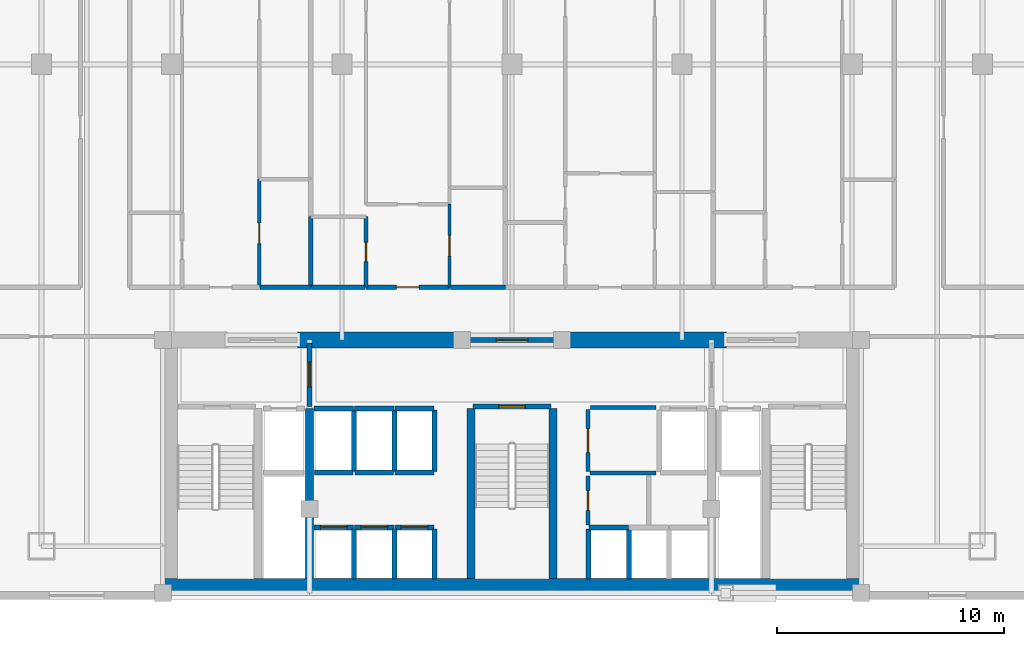
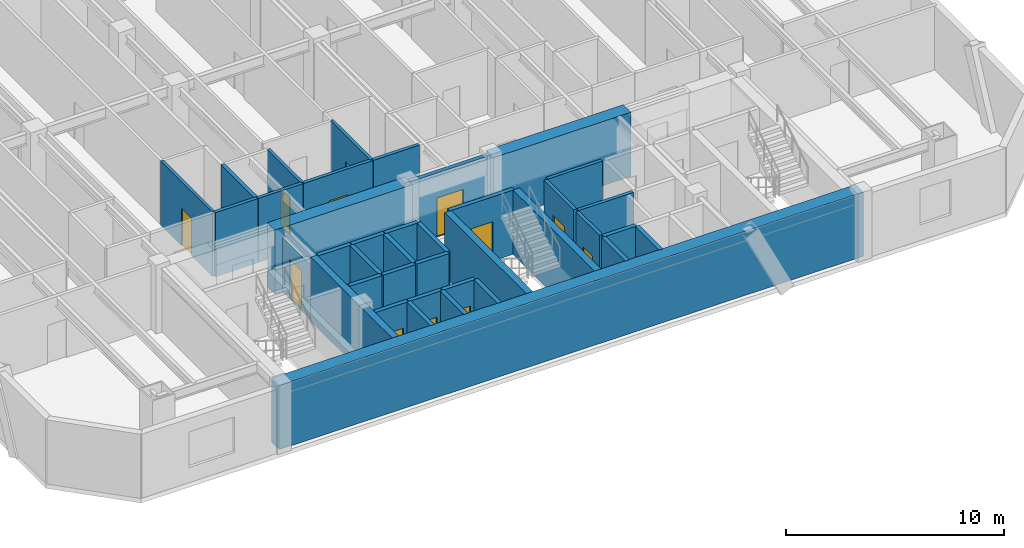
# One storey, part 3 of 9: 39 walls, 12 doors, 12 openings.
"""IFC4 building model written with IfcOpenShell, lengths in metres."""

from ifc_helpers import new_model, si_unit, direction, frame, frame_2d, origin, place, context, subcontext, project, spatial, rectangle, extrude, material, layer, layer_set, type_object, element, fill, save


model = new_model("IFC4")

# Units and contexts
model_context = context("Model", 3, precision=1e-05, world=origin(), true_north=direction((0.0, 1.0)))
body_context = subcontext(model_context, "Body", "Model", "MODEL_VIEW")
ifc_project = project(units=[si_unit("LENGTHUNIT", "METRE"), si_unit("AREAUNIT", "SQUARE_METRE"), si_unit("VOLUMEUNIT", "CUBIC_METRE"), si_unit("PLANEANGLEUNIT", "RADIAN"), si_unit("MASSUNIT", "GRAM", prefix="KILO")], contexts=[model_context])

# Site, building, storey
site_placement = place(None, origin())
site = spatial("IfcSite", under=ifc_project, at=site_placement, CompositionType="ELEMENT")
building_placement = place(site_placement, origin())
building = spatial("IfcBuilding", under=site, at=building_placement, Name="Ventersveld Concourse Tower", CompositionType="ELEMENT")
storey_placement = place(building_placement, frame((0.0, 0.0, 100.300048828125)))
storey = spatial("IfcBuildingStorey", under=building, at=storey_placement, Name="L24", CompositionType="ELEMENT", Elevation=100.300048828125)

# Walls
ifc_material_1 = material(Name="Concrete C60/75", Category="concrete")
ifc_layer_1 = layer(ifc_material_1, 0.35009765625)
ifc_layer_set_1 = layer_set([ifc_layer_1], Name="Concrete C60/75")
wall_type_1 = type_object("IfcWallType", Name="WL-CORE-350L", PredefinedType="SHEAR", material=ifc_layer_set_1)
for number, where, z_axis, x_axis, name in (
    (1, (19.820068359375, 0.919921875, 0.0), (0.0, 0.0, 1.0), (0.0, 1.0, 0.0), "L24 Core Internal Shear Web W-FF1-E"),
    (2, (26.93994140625, 0.919921875, 0.0), (0.0, 0.0, 1.0), (0.0, 1.0, 0.0), "L24 Core Internal Shear Web W-ST3-W"),
    (3, (30.56005859375, 0.919921875, 0.0), (0.0, 0.0, 1.0), (0.0, 1.0, 0.0), "L24 Core Internal Shear Web W-ST3-E"),
):
    element("IfcWall", number, at=place(storey_placement, frame(where, z_axis=z_axis, x_axis=x_axis)), inside=storey, type_object=wall_type_1, Name=name, PredefinedType="SHEAR", context=body_context, shape_type="SweptSolid", body=[
        extrude(rectangle(XDim=7.5, YDim=0.35009765625, at=frame_2d((3.75, 0.0))), origin(), (0.0, 0.0, 1.0), 3.599853515625),
    ])
ifc_layer_2 = layer(ifc_material_1, 0.699951171875)
ifc_layer_set_2 = layer_set([ifc_layer_2], Name="Concrete C60/75")
wall_type_2 = type_object("IfcWallType", Name="WL-CORE-700", PredefinedType="SHEAR", material=ifc_layer_set_2)
wall_1_placement = place(storey_placement, frame((13.25, 0.570068359375, 0.0), z_axis=(0.0, 0.0, 1.0), x_axis=(1.0, 0.0, 0.0)))
element("IfcWall", 4, at=wall_1_placement, inside=storey, type_object=wall_type_2, Name="L24 Rear Core South Shear Wall", PredefinedType="SHEAR", context=body_context, shape_type="SweptSolid", body=[
    extrude(rectangle(XDim=31.0, YDim=0.699951171875, at=frame_2d((15.5, 0.0))), origin(), (0.0, 0.0, 1.0), 3.599853515625),
])
for number, where, z_axis, x_axis, name in (
    (5, (19.300048828125, 11.449951171875, 0.0), (0.0, 0.0, 1.0), (1.0, 0.0, 0.0), "L24 Rear Core North Shear Wall NML"),
    (6, (30.89990234375, 11.449951171875, 0.0), (0.0, 0.0, 1.0), (1.0, 0.0, 0.0), "L24 Rear Core North Shear Wall NMR"),
):
    element("IfcWall", number, at=place(storey_placement, frame(where, z_axis=z_axis, x_axis=x_axis)), inside=storey, type_object=wall_type_2, Name=name, PredefinedType="SHEAR", context=body_context, shape_type="SweptSolid", body=[
        extrude(rectangle(XDim=7.300048828125, YDim=0.699951171875, at=frame_2d((3.64990234375, 0.0))), origin(), (0.0, 0.0, 1.0), 3.599853515625),
    ])

# Wall, opening, door
ifc_material_2 = material(Name="Fire-rated autoclaved aerated masonry blockwork", Category="masonry")
ifc_layer_3 = layer(ifc_material_2, 0.179931640625)
ifc_layer_set_3 = layer_set([ifc_layer_3], Name="Fire-rated autoclaved aerated masonry blockwork")
wall_type_3 = type_object("IfcWallType", Name="WL-CORR-180", PredefinedType="PARTITIONING", material=ifc_layer_set_3)
wall_2_placement = place(storey_placement, frame((32.10009765625, 5.64990234375, 0.0), z_axis=(0.0, 0.0, 1.0), x_axis=(0.0, 1.0, 0.0)))
wall_2 = element("IfcWall", 7, at=wall_2_placement, inside=storey, type_object=wall_type_3, Name="L24 Core Passage Wall SP-L24-CBAY1", PredefinedType="PARTITIONING", context=body_context, shape_type="SweptSolid", body=[
    extrude(rectangle(XDim=2.72998046875, YDim=0.179931640625, at=frame_2d((1.364990234375, 0.0))), origin(), (0.0, 0.0, 1.0), 3.599853515625),
])
opening_1_placement = place(wall_2_placement, frame((0.840087890625, 0.0, 0.0)))
opening_1 = element("IfcOpeningElement", 8, at=opening_1_placement, cuts=wall_2, Name="Opening ID3", PredefinedType="OPENING", context=body_context, shape_type="SweptSolid", body=[
    extrude(rectangle(XDim=1.050048828125, YDim=2.14990234375, at=frame_2d((0.52490234375, 1.074951171875))), frame((0.0, 0.10009765625, 0.0), z_axis=(0.0, -1.0, 0.0), x_axis=(1.0, 0.0, 0.0)), (0.0, 0.0, 1.0), 0.199951171875),
])
ifc_material_3 = material(Name="Solid-core hardwood veneer timber", Category="wood")
door_type_1 = type_object("IfcDoorType", Name="DR-AWC-105", OperationType="NOTDEFINED", PredefinedType="DOOR", material=ifc_material_3)
door_1_placement = place(opening_1_placement, origin())
door_1 = element("IfcDoor", 9, at=door_1_placement, inside=storey, type_object=door_type_1, Name="L24 Core Room Door L24 Core Unisex Accessible WC (CD-L24-1170)", OperationType="SINGLE_SWING_LEFT", OverallHeight=2.14990234375, OverallWidth=1.050048828125, PredefinedType="DOOR", context=body_context, shape_type="SweptSolid", body=[
    extrude(rectangle(XDim=1.050048828125, YDim=2.14990234375, at=frame_2d((0.52490234375, 1.074951171875))), frame((0.0, 0.02490234375, 0.0), z_axis=(0.0, -1.0, 0.0), x_axis=(1.0, 0.0, 0.0)), (0.0, 0.0, 1.0), 0.050048828125),
])
fill(opening_1, door_1)

# Walls
wall_3_placement = place(storey_placement, frame((32.219970703125, 8.4599609375, 0.0), z_axis=(0.0, 0.0, 1.0), x_axis=(1.0, 0.0, 0.0)))
element("IfcWall", 10, at=wall_3_placement, inside=storey, type_object=wall_type_3, Name="L24 Core Top Wall SP-L24-CBAY1", PredefinedType="PARTITIONING", context=body_context, shape_type="SweptSolid", body=[
    extrude(rectangle(XDim=2.880126953125, YDim=0.179931640625, at=frame_2d((1.43994140625, 0.0))), origin(), (0.0, 0.0, 1.0), 3.599853515625),
])
wall_4_placement = place(storey_placement, frame((32.179931640625, 5.570068359375, 0.0), z_axis=(0.0, 0.0, 1.0), x_axis=(1.0, 0.0, 0.0)))
element("IfcWall", 11, at=wall_4_placement, inside=storey, type_object=wall_type_3, Name="L24 Core Bot Wall SP-L24-CBAY1", PredefinedType="PARTITIONING", context=body_context, shape_type="SweptSolid", body=[
    extrude(rectangle(XDim=2.920166015625, YDim=0.179931640625, at=frame_2d((1.4599609375, 0.0))), origin(), (0.0, 0.0, 1.0), 3.599853515625),
])

# Wall, opening, door
wall_5_placement = place(storey_placement, frame((32.10009765625, 3.280029296875, 0.0), z_axis=(0.0, 0.0, 1.0), x_axis=(0.0, 1.0, 0.0)))
wall_5 = element("IfcWall", 12, at=wall_5_placement, inside=storey, type_object=wall_type_3, Name="L24 Core Passage Wall SP-L24-CBAY2", PredefinedType="PARTITIONING", context=body_context, shape_type="SweptSolid", body=[
    extrude(rectangle(XDim=2.169921875, YDim=0.179931640625, at=frame_2d((1.0849609375, 0.0))), origin(), (0.0, 0.0, 1.0), 3.599853515625),
])
opening_2_placement = place(wall_5_placement, frame((0.64501953125, 0.0, 0.0)))
opening_2 = element("IfcOpeningElement", 13, at=opening_2_placement, cuts=wall_5, Name="Opening FD5", PredefinedType="OPENING", context=body_context, shape_type="SweptSolid", body=[
    extrude(rectangle(XDim=0.8798828125, YDim=2.050048828125, at=frame_2d((0.43994140625, 1.02490234375))), frame((0.0, 0.10009765625, 0.0), z_axis=(0.0, -1.0, 0.0), x_axis=(1.0, 0.0, 0.0)), (0.0, 0.0, 1.0), 0.199951171875),
])
ifc_material_4 = material(Name="Galvanised painted steel", Category="steel")
door_type_2 = type_object("IfcDoorType", Name="DR-RISER-088", OperationType="NOTDEFINED", PredefinedType="DOOR", material=ifc_material_4)
door_2_placement = place(opening_2_placement, origin())
door_2 = element("IfcDoor", 14, at=door_2_placement, inside=storey, type_object=door_type_2, Name="L24 Core Room Door L24 Core Beverage Pantry (CD-L24-1171)", OperationType="SINGLE_SWING_RIGHT", OverallHeight=2.050048828125, OverallWidth=0.8798828125, PredefinedType="DOOR", context=body_context, shape_type="SweptSolid", body=[
    extrude(rectangle(XDim=0.8798828125, YDim=2.050048828125, at=frame_2d((0.43994140625, 1.02490234375))), frame((0.0, 0.02490234375, 0.0), z_axis=(0.0, -1.0, 0.0), x_axis=(1.0, 0.0, 0.0)), (0.0, 0.0, 1.0), 0.050048828125),
])
fill(opening_2, door_2)

# Wall
wall_6_placement = place(storey_placement, frame((17.641845703125, 13.77001953125, 0.0), z_axis=(0.0, 0.0, 1.0), x_axis=(1.0, 0.0, 0.0)))
element("IfcWall", 15, at=wall_6_placement, inside=storey, type_object=wall_type_3, Name="L24 Interior Partition SP-L24-COR-SP-L24-24N1-KIT", PredefinedType="PARTITIONING", context=body_context, shape_type="SweptSolid", body=[
    extrude(rectangle(XDim=2.242431640625, YDim=0.179931640625, at=frame_2d((1.12109375, 0.0))), origin(), (0.0, 0.0, 1.0), 3.599853515625),
])

# Wall, opening, door
wall_7_placement = place(storey_placement, frame((22.303955078125, 13.77001953125, 0.0), z_axis=(0.0, 0.0, 1.0), x_axis=(1.0, 0.0, 0.0)))
wall_7 = element("IfcWall", 16, at=wall_7_placement, inside=storey, type_object=wall_type_3, Name="L24 Interior Partition SP-L24-COR-SP-L24-24N2-FOY", PredefinedType="PARTITIONING", context=body_context, shape_type="SweptSolid", body=[
    extrude(rectangle(XDim=3.692626953125, YDim=0.179931640625, at=frame_2d((1.84619140625, 0.0))), origin(), (0.0, 0.0, 1.0), 3.599853515625),
])
opening_3_placement = place(wall_7_placement, frame((1.34619140625, 0.0, 0.0)))
opening_3 = element("IfcOpeningElement", 17, at=opening_3_placement, cuts=wall_7, Name="Opening FD3", PredefinedType="OPENING", context=body_context, shape_type="SweptSolid", body=[
    extrude(rectangle(XDim=1.0, YDim=2.14990234375, at=frame_2d((0.5, 1.074951171875))), frame((0.0, 0.10009765625, 0.0), z_axis=(0.0, -1.0, 0.0), x_axis=(1.0, 0.0, 0.0)), (0.0, 0.0, 1.0), 0.199951171875),
])
door_type_3 = type_object("IfcDoorType", Name="DR-FLAT-100", OperationType="NOTDEFINED", PredefinedType="DOOR", material=ifc_material_3)
door_3_placement = place(opening_3_placement, origin())
door_3 = element("IfcDoor", 18, at=door_3_placement, inside=storey, type_object=door_type_3, Name="L24 Interior Door SP-L24-COR to SP-L24-24N2-FOY (FD-L24-1177)", OperationType="SINGLE_SWING_LEFT", OverallHeight=2.14990234375, OverallWidth=1.0, PredefinedType="DOOR", context=body_context, shape_type="SweptSolid", body=[
    extrude(rectangle(XDim=1.0, YDim=2.14990234375, at=frame_2d((0.5, 1.074951171875))), frame((0.0, 0.02490234375, 0.0), z_axis=(0.0, -1.0, 0.0), x_axis=(1.0, 0.0, 0.0)), (0.0, 0.0, 1.0), 0.050048828125),
])
fill(opening_3, door_3)

# Walls
wall_8_placement = place(storey_placement, frame((19.914306640625, 13.77001953125, 0.0), z_axis=(0.0, 0.0, 1.0), x_axis=(1.0, 0.0, 0.0)))
element("IfcWall", 19, at=wall_8_placement, inside=storey, type_object=wall_type_3, Name="L24 Interior Partition SP-L24-COR-SP-L24-24N2-BATH", PredefinedType="PARTITIONING", context=body_context, shape_type="SweptSolid", body=[
    extrude(rectangle(XDim=2.359619140625, YDim=0.179931640625, at=frame_2d((1.1796875, 0.0))), origin(), (0.0, 0.0, 1.0), 3.599853515625),
])
wall_9_placement = place(storey_placement, frame((26.026611328125, 13.77001953125, 0.0), z_axis=(0.0, 0.0, 1.0), x_axis=(1.0, 0.0, 0.0)))
element("IfcWall", 20, at=wall_9_placement, inside=storey, type_object=wall_type_3, Name="L24 Interior Partition SP-L24-COR-SP-L24-24N2-KIT", PredefinedType="PARTITIONING", context=body_context, shape_type="SweptSolid", body=[
    extrude(rectangle(XDim=2.4345703125, YDim=0.179931640625, at=frame_2d((1.21728515625, 0.0))), origin(), (0.0, 0.0, 1.0), 3.599853515625),
])
ifc_layer_4 = layer(ifc_material_2, 0.199951171875)
ifc_layer_set_4 = layer_set([ifc_layer_4], Name="Fire-rated autoclaved aerated masonry blockwork")
wall_type_4 = type_object("IfcWallType", Name="WL-DEMISE-200", PredefinedType="PARTITIONING", material=ifc_layer_set_4)
wall_10_placement = place(storey_placement, frame((19.879150390625, 13.764892578125, 0.0), z_axis=(0.0, 0.0, 1.0), x_axis=(0.0, 1.0, 0.0)))
element("IfcWall", 21, at=wall_10_placement, inside=storey, type_object=wall_type_4, Name="L24 Interior Partition SP-L24-24N1-KIT-SP-L24-24N2-BATH", PredefinedType="PARTITIONING", context=body_context, shape_type="SweptSolid", body=[
    extrude(rectangle(XDim=3.123779296875, YDim=0.199951171875, at=frame_2d((1.56201171875, 0.0))), origin(), (0.0, 0.0, 1.0), 3.599853515625),
])
ifc_layer_5 = layer(ifc_material_2, 0.219970703125)
ifc_layer_set_5 = layer_set([ifc_layer_5], Name="Fire-rated autoclaved aerated masonry blockwork")
wall_type_5 = type_object("IfcWallType", Name="WL-HOIST-220", PredefinedType="SOLIDWALL", material=ifc_layer_set_5)
wall_11_placement = place(storey_placement, frame((21.780029296875, 0.89990234375, 0.0), z_axis=(0.0, 0.0, 1.0), x_axis=(0.0, 1.0, 0.0)))
element("IfcWall", 22, at=wall_11_placement, inside=storey, type_object=wall_type_5, Name="L24 Lift Hoistway Side Wall PL-01E", PredefinedType="SOLIDWALL", context=body_context, shape_type="SweptSolid", body=[
    extrude(rectangle(XDim=2.2001953125, YDim=0.219970703125, at=frame_2d((1.10009765625, 0.0))), origin(), (0.0, 0.0, 1.0), 3.599853515625),
])

# Wall, opening, door
wall_12_placement = place(storey_placement, frame((20.02001953125, 3.179931640625, 0.0), z_axis=(0.0, 0.0, 1.0), x_axis=(1.0, 0.0, 0.0)))
wall_12 = element("IfcWall", 23, at=wall_12_placement, inside=storey, type_object=wall_type_5, Name="L24 Lift Hoistway Front Wall PL-01", PredefinedType="SOLIDWALL", context=body_context, shape_type="SweptSolid", body=[
    extrude(rectangle(XDim=1.739990234375, YDim=0.219970703125, at=frame_2d((0.8701171875, 0.0))), origin(), (0.0, 0.0, 1.0), 3.599853515625),
])
opening_4_placement = place(wall_12_placement, frame((0.280029296875, 0.0, 0.0)))
opening_4 = element("IfcOpeningElement", 24, at=opening_4_placement, cuts=wall_12, Name="Opening LD2", PredefinedType="OPENING", context=body_context, shape_type="SweptSolid", body=[
    extrude(rectangle(XDim=1.179931640625, YDim=2.199951171875, at=frame_2d((0.58984375, 1.10009765625))), frame((0.0, 0.1201171875, 0.0), z_axis=(0.0, -1.0, 0.0), x_axis=(1.0, 0.0, 0.0)), (0.0, 0.0, 1.0), 0.239990234375),
])
ifc_material_5 = material(Name="Brushed stainless steel 316", Category="steel")
door_type_4 = type_object("IfcDoorType", Name="LD-PAX-118", OperationType="SLIDING_TO_LEFT", PredefinedType="DOOR", material=ifc_material_5)
door_4_placement = place(opening_4_placement, origin())
door_4 = element("IfcDoor", 25, at=door_4_placement, inside=storey, type_object=door_type_4, Name="L24 Lift landing door PL-01 (LD-L24-PL-01)", OperationType="SLIDING_TO_RIGHT", OverallHeight=2.199951171875, OverallWidth=1.179931640625, PredefinedType="DOOR", context=body_context, shape_type="SweptSolid", body=[
    extrude(rectangle(XDim=1.179931640625, YDim=2.199951171875, at=frame_2d((0.58984375, 1.10009765625))), frame((0.0, 0.02490234375, 0.0), z_axis=(0.0, -1.0, 0.0), x_axis=(1.0, 0.0, 0.0)), (0.0, 0.0, 1.0), 0.050048828125),
])
fill(opening_4, door_4)

# Wall
wall_13_placement = place(storey_placement, frame((23.56005859375, 0.89990234375, 0.0), z_axis=(0.0, 0.0, 1.0), x_axis=(0.0, 1.0, 0.0)))
element("IfcWall", 26, at=wall_13_placement, inside=storey, type_object=wall_type_5, Name="L24 Lift Hoistway Side Wall PL-02E", PredefinedType="SOLIDWALL", context=body_context, shape_type="SweptSolid", body=[
    extrude(rectangle(XDim=2.2001953125, YDim=0.219970703125, at=frame_2d((1.10009765625, 0.0))), origin(), (0.0, 0.0, 1.0), 3.599853515625),
])

# Wall, opening, door
wall_14_placement = place(storey_placement, frame((21.800048828125, 3.179931640625, 0.0), z_axis=(0.0, 0.0, 1.0), x_axis=(1.0, 0.0, 0.0)))
wall_14 = element("IfcWall", 27, at=wall_14_placement, inside=storey, type_object=wall_type_5, Name="L24 Lift Hoistway Front Wall PL-02", PredefinedType="SOLIDWALL", context=body_context, shape_type="SweptSolid", body=[
    extrude(rectangle(XDim=1.739990234375, YDim=0.219970703125, at=frame_2d((0.8701171875, 0.0))), origin(), (0.0, 0.0, 1.0), 3.599853515625),
])
opening_5_placement = place(wall_14_placement, frame((0.280029296875, 0.0, 0.0)))
opening_5 = element("IfcOpeningElement", 28, at=opening_5_placement, cuts=wall_14, Name="Opening LD2", PredefinedType="OPENING", context=body_context, shape_type="SweptSolid", body=[
    extrude(rectangle(XDim=1.179931640625, YDim=2.199951171875, at=frame_2d((0.58984375, 1.10009765625))), frame((0.0, 0.1201171875, 0.0), z_axis=(0.0, -1.0, 0.0), x_axis=(1.0, 0.0, 0.0)), (0.0, 0.0, 1.0), 0.239990234375),
])
door_5_placement = place(opening_5_placement, origin())
door_5 = element("IfcDoor", 29, at=door_5_placement, inside=storey, type_object=door_type_4, Name="L24 Lift landing door PL-02 (LD-L24-PL-02)", OperationType="SLIDING_TO_LEFT", OverallHeight=2.199951171875, OverallWidth=1.179931640625, PredefinedType="DOOR", context=body_context, shape_type="SweptSolid", body=[
    extrude(rectangle(XDim=1.179931640625, YDim=2.199951171875, at=frame_2d((0.58984375, 1.10009765625))), frame((0.0, 0.02490234375, 0.0), z_axis=(0.0, -1.0, 0.0), x_axis=(1.0, 0.0, 0.0)), (0.0, 0.0, 1.0), 0.050048828125),
])
fill(opening_5, door_5)

# Wall
wall_15_placement = place(storey_placement, frame((25.340087890625, 0.89990234375, 0.0), z_axis=(0.0, 0.0, 1.0), x_axis=(0.0, 1.0, 0.0)))
element("IfcWall", 30, at=wall_15_placement, inside=storey, type_object=wall_type_5, Name="L24 Lift Hoistway Side Wall PL-03E", PredefinedType="SOLIDWALL", context=body_context, shape_type="SweptSolid", body=[
    extrude(rectangle(XDim=2.2001953125, YDim=0.219970703125, at=frame_2d((1.10009765625, 0.0))), origin(), (0.0, 0.0, 1.0), 3.599853515625),
])

# Wall, opening, door
wall_16_placement = place(storey_placement, frame((23.580078125, 3.179931640625, 0.0), z_axis=(0.0, 0.0, 1.0), x_axis=(1.0, 0.0, 0.0)))
wall_16 = element("IfcWall", 31, at=wall_16_placement, inside=storey, type_object=wall_type_5, Name="L24 Lift Hoistway Front Wall PL-03", PredefinedType="SOLIDWALL", context=body_context, shape_type="SweptSolid", body=[
    extrude(rectangle(XDim=1.739990234375, YDim=0.219970703125, at=frame_2d((0.8701171875, 0.0))), origin(), (0.0, 0.0, 1.0), 3.599853515625),
])
opening_6_placement = place(wall_16_placement, frame((0.280029296875, 0.0, 0.0)))
opening_6 = element("IfcOpeningElement", 32, at=opening_6_placement, cuts=wall_16, Name="Opening LD2", PredefinedType="OPENING", context=body_context, shape_type="SweptSolid", body=[
    extrude(rectangle(XDim=1.179931640625, YDim=2.199951171875, at=frame_2d((0.58984375, 1.10009765625))), frame((0.0, 0.1201171875, 0.0), z_axis=(0.0, -1.0, 0.0), x_axis=(1.0, 0.0, 0.0)), (0.0, 0.0, 1.0), 0.239990234375),
])
door_6_placement = place(opening_6_placement, origin())
door_6 = element("IfcDoor", 33, at=door_6_placement, inside=storey, type_object=door_type_4, Name="L24 Lift landing door PL-03 (LD-L24-PL-03)", OperationType="SLIDING_TO_RIGHT", OverallHeight=2.199951171875, OverallWidth=1.179931640625, PredefinedType="DOOR", context=body_context, shape_type="SweptSolid", body=[
    extrude(rectangle(XDim=1.179931640625, YDim=2.199951171875, at=frame_2d((0.58984375, 1.10009765625))), frame((0.0, 0.02490234375, 0.0), z_axis=(0.0, -1.0, 0.0), x_axis=(1.0, 0.0, 0.0)), (0.0, 0.0, 1.0), 0.050048828125),
])
fill(opening_6, door_6)

# Walls
for number, where, z_axis, x_axis, name in (
    (34, (32.1201171875, 0.89990234375, 0.0), (0.0, 0.0, 1.0), (0.0, 1.0, 0.0), "L24 Lift Hoistway Side Wall PM-01W"),
    (35, (33.89990234375, 0.89990234375, 0.0), (0.0, 0.0, 1.0), (0.0, 1.0, 0.0), "L24 Lift Hoistway Side Wall PM-01E"),
):
    element("IfcWall", number, at=place(storey_placement, frame(where, z_axis=z_axis, x_axis=x_axis)), inside=storey, type_object=wall_type_5, Name=name, PredefinedType="SOLIDWALL", context=body_context, shape_type="SweptSolid", body=[
        extrude(rectangle(XDim=2.2001953125, YDim=0.219970703125, at=frame_2d((1.10009765625, 0.0))), origin(), (0.0, 0.0, 1.0), 3.599853515625),
    ])
wall_17_placement = place(storey_placement, frame((32.139892578125, 3.179931640625, 0.0), z_axis=(0.0, 0.0, 1.0), x_axis=(1.0, 0.0, 0.0)))
element("IfcWall", 36, at=wall_17_placement, inside=storey, type_object=wall_type_5, Name="L24 Lift Hoistway Front Wall PM-01", PredefinedType="SOLIDWALL", context=body_context, shape_type="SweptSolid", body=[
    extrude(rectangle(XDim=1.739990234375, YDim=0.219970703125, at=frame_2d((0.8701171875, 0.0))), origin(), (0.0, 0.0, 1.0), 3.599853515625),
])
wall_18_placement = place(storey_placement, frame((20.0400390625, 5.590087890625, 0.0), z_axis=(0.0, 0.0, 1.0), x_axis=(1.0, 0.0, 0.0)))
element("IfcWall", 37, at=wall_18_placement, inside=storey, type_object=wall_type_5, Name="L24 Lift Hoistway Back Wall PH-01", PredefinedType="SOLIDWALL", context=body_context, shape_type="SweptSolid", body=[
    extrude(rectangle(XDim=1.699951171875, YDim=0.219970703125, at=frame_2d((0.85009765625, 0.0))), origin(), (0.0, 0.0, 1.0), 3.599853515625),
])
wall_19_placement = place(storey_placement, frame((21.780029296875, 5.64990234375, 0.0), z_axis=(0.0, 0.0, 1.0), x_axis=(0.0, 1.0, 0.0)))
element("IfcWall", 38, at=wall_19_placement, inside=storey, type_object=wall_type_5, Name="L24 Lift Hoistway Side Wall PH-01E", PredefinedType="SOLIDWALL", context=body_context, shape_type="SweptSolid", body=[
    extrude(rectangle(XDim=2.7001953125, YDim=0.219970703125, at=frame_2d((1.35009765625, 0.0))), origin(), (0.0, 0.0, 1.0), 3.599853515625),
])
wall_20_placement = place(storey_placement, frame((20.02001953125, 8.429931640625, 0.0), z_axis=(0.0, 0.0, 1.0), x_axis=(1.0, 0.0, 0.0)))
element("IfcWall", 39, at=wall_20_placement, inside=storey, type_object=wall_type_5, Name="L24 Lift Hoistway Front Wall PH-01", PredefinedType="SOLIDWALL", context=body_context, shape_type="SweptSolid", body=[
    extrude(rectangle(XDim=1.739990234375, YDim=0.219970703125, at=frame_2d((0.8701171875, 0.0))), origin(), (0.0, 0.0, 1.0), 3.599853515625),
])
wall_21_placement = place(storey_placement, frame((21.820068359375, 5.590087890625, 0.0), z_axis=(0.0, 0.0, 1.0), x_axis=(1.0, 0.0, 0.0)))
element("IfcWall", 40, at=wall_21_placement, inside=storey, type_object=wall_type_5, Name="L24 Lift Hoistway Back Wall PH-02", PredefinedType="SOLIDWALL", context=body_context, shape_type="SweptSolid", body=[
    extrude(rectangle(XDim=1.699951171875, YDim=0.219970703125, at=frame_2d((0.85009765625, 0.0))), origin(), (0.0, 0.0, 1.0), 3.599853515625),
])
wall_22_placement = place(storey_placement, frame((23.56005859375, 5.64990234375, 0.0), z_axis=(0.0, 0.0, 1.0), x_axis=(0.0, 1.0, 0.0)))
element("IfcWall", 41, at=wall_22_placement, inside=storey, type_object=wall_type_5, Name="L24 Lift Hoistway Side Wall PH-02E", PredefinedType="SOLIDWALL", context=body_context, shape_type="SweptSolid", body=[
    extrude(rectangle(XDim=2.7001953125, YDim=0.219970703125, at=frame_2d((1.35009765625, 0.0))), origin(), (0.0, 0.0, 1.0), 3.599853515625),
])
wall_23_placement = place(storey_placement, frame((21.800048828125, 8.429931640625, 0.0), z_axis=(0.0, 0.0, 1.0), x_axis=(1.0, 0.0, 0.0)))
element("IfcWall", 42, at=wall_23_placement, inside=storey, type_object=wall_type_5, Name="L24 Lift Hoistway Front Wall PH-02", PredefinedType="SOLIDWALL", context=body_context, shape_type="SweptSolid", body=[
    extrude(rectangle(XDim=1.739990234375, YDim=0.219970703125, at=frame_2d((0.8701171875, 0.0))), origin(), (0.0, 0.0, 1.0), 3.599853515625),
])
wall_24_placement = place(storey_placement, frame((23.60009765625, 5.590087890625, 0.0), z_axis=(0.0, 0.0, 1.0), x_axis=(1.0, 0.0, 0.0)))
element("IfcWall", 43, at=wall_24_placement, inside=storey, type_object=wall_type_5, Name="L24 Lift Hoistway Back Wall PH-03", PredefinedType="SOLIDWALL", context=body_context, shape_type="SweptSolid", body=[
    extrude(rectangle(XDim=1.699951171875, YDim=0.219970703125, at=frame_2d((0.85009765625, 0.0))), origin(), (0.0, 0.0, 1.0), 3.599853515625),
])
wall_25_placement = place(storey_placement, frame((25.340087890625, 5.64990234375, 0.0), z_axis=(0.0, 0.0, 1.0), x_axis=(0.0, 1.0, 0.0)))
element("IfcWall", 44, at=wall_25_placement, inside=storey, type_object=wall_type_5, Name="L24 Lift Hoistway Side Wall PH-03E", PredefinedType="SOLIDWALL", context=body_context, shape_type="SweptSolid", body=[
    extrude(rectangle(XDim=2.7001953125, YDim=0.219970703125, at=frame_2d((1.35009765625, 0.0))), origin(), (0.0, 0.0, 1.0), 3.599853515625),
])
wall_26_placement = place(storey_placement, frame((23.580078125, 8.429931640625, 0.0), z_axis=(0.0, 0.0, 1.0), x_axis=(1.0, 0.0, 0.0)))
element("IfcWall", 45, at=wall_26_placement, inside=storey, type_object=wall_type_5, Name="L24 Lift Hoistway Front Wall PH-03", PredefinedType="SOLIDWALL", context=body_context, shape_type="SweptSolid", body=[
    extrude(rectangle(XDim=1.739990234375, YDim=0.219970703125, at=frame_2d((0.8701171875, 0.0))), origin(), (0.0, 0.0, 1.0), 3.599853515625),
])

# Wall, opening, door
wall_27_placement = place(storey_placement, frame((27.0400390625, 8.52001953125, 0.0), z_axis=(0.0, 0.0, 1.0), x_axis=(1.0, 0.0, 0.0)))
wall_27 = element("IfcWall", 46, at=wall_27_placement, inside=storey, type_object=wall_type_5, Name="L24 Escape Stair ST03 Fire Wall", PredefinedType="SOLIDWALL", context=body_context, shape_type="SweptSolid", body=[
    extrude(rectangle(XDim=3.419921875, YDim=0.219970703125, at=frame_2d((1.7099609375, 0.0))), origin(), (0.0, 0.0, 1.0), 3.599853515625),
])
opening_7_placement = place(wall_27_placement, frame((1.135009765625, 0.0, 0.0)))
opening_7 = element("IfcOpeningElement", 47, at=opening_7_placement, cuts=wall_27, Name="Opening FD1", PredefinedType="OPENING", context=body_context, shape_type="SweptSolid", body=[
    extrude(rectangle(XDim=1.14990234375, YDim=2.199951171875, at=frame_2d((0.574951171875, 1.10009765625))), frame((0.0, 0.1201171875, 0.0), z_axis=(0.0, -1.0, 0.0), x_axis=(1.0, 0.0, 0.0)), (0.0, 0.0, 1.0), 0.239990234375),
])
door_type_5 = type_object("IfcDoorType", Name="DR-STAIR-115", OperationType="NOTDEFINED", PredefinedType="DOOR", material=ifc_material_4)
door_7_placement = place(opening_7_placement, origin())
door_7 = element("IfcDoor", 48, at=door_7_placement, inside=storey, type_object=door_type_5, Name="L24 Escape Stair Door ST03 (SD-L24-1164)", OperationType="SINGLE_SWING_LEFT", OverallHeight=2.199951171875, OverallWidth=1.14990234375, PredefinedType="DOOR", context=body_context, shape_type="SweptSolid", body=[
    extrude(rectangle(XDim=1.14990234375, YDim=2.199951171875, at=frame_2d((0.574951171875, 1.10009765625))), frame((0.0, 0.02490234375, 0.0), z_axis=(0.0, -1.0, 0.0), x_axis=(1.0, 0.0, 0.0)), (0.0, 0.0, 1.0), 0.050048828125),
])
fill(opening_7, door_7)

wall_28_placement = place(storey_placement, frame((19.820068359375, 8.52001953125, 0.0), z_axis=(0.0, 0.0, 1.0), x_axis=(0.0, 1.0, 0.0)))
wall_28 = element("IfcWall", 49, at=wall_28_placement, inside=storey, type_object=wall_type_5, Name="L24 Firefighting Lobby Smoke-Stop Wall FFLW-SEP", PredefinedType="SOLIDWALL", context=body_context, shape_type="SweptSolid", body=[
    extrude(rectangle(XDim=2.800048828125, YDim=0.219970703125, at=frame_2d((1.39990234375, 0.0))), origin(), (0.0, 0.0, 1.0), 3.055419921875),
])
opening_8_placement = place(wall_28_placement, frame((0.85009765625, 0.0, 0.0)))
opening_8 = element("IfcOpeningElement", 50, at=opening_8_placement, cuts=wall_28, Name="Opening FD2", PredefinedType="OPENING", context=body_context, shape_type="SweptSolid", body=[
    extrude(rectangle(XDim=1.10009765625, YDim=2.199951171875, at=frame_2d((0.550048828125, 1.10009765625))), frame((0.0, 0.1201171875, 0.0), z_axis=(0.0, -1.0, 0.0), x_axis=(1.0, 0.0, 0.0)), (0.0, 0.0, 1.0), 0.239990234375),
])
door_type_6 = type_object("IfcDoorType", Name="DR-FFL-110", OperationType="NOTDEFINED", PredefinedType="DOOR", material=ifc_material_4)
door_8_placement = place(opening_8_placement, origin())
door_8 = element("IfcDoor", 51, at=door_8_placement, inside=storey, type_object=door_type_6, Name="L24 Firefighting Lobby Door FFLW-SEP (FD-L24-1165)", OperationType="SINGLE_SWING_LEFT", OverallHeight=2.199951171875, OverallWidth=1.10009765625, PredefinedType="DOOR", context=body_context, shape_type="SweptSolid", body=[
    extrude(rectangle(XDim=1.10009765625, YDim=2.199951171875, at=frame_2d((0.550048828125, 1.10009765625))), frame((0.0, 0.02490234375, 0.0), z_axis=(0.0, -1.0, 0.0), x_axis=(1.0, 0.0, 0.0)), (0.0, 0.0, 1.0), 0.050048828125),
])
fill(opening_8, door_8)

wall_29_placement = place(storey_placement, frame((26.6298828125, 11.449951171875, 0.0), z_axis=(0.0, 0.0, 1.0), x_axis=(1.0, 0.0, 0.0)))
wall_29 = element("IfcWall", 52, at=wall_29_placement, inside=storey, type_object=wall_type_5, Name="L24 Core North Fire Portal PLOB-OUT", PredefinedType="SOLIDWALL", context=body_context, shape_type="SweptSolid", body=[
    extrude(rectangle(XDim=4.240234375, YDim=0.219970703125, at=frame_2d((2.1201171875, 0.0))), origin(), (0.0, 0.0, 1.0), 3.599853515625),
])
opening_9_placement = place(wall_29_placement, frame((1.419921875, 0.0, 0.0)))
opening_9 = element("IfcOpeningElement", 53, at=opening_9_placement, cuts=wall_29, Name="Opening FD4", PredefinedType="OPENING", context=body_context, shape_type="SweptSolid", body=[
    extrude(rectangle(XDim=1.39990234375, YDim=2.199951171875, at=frame_2d((0.699951171875, 1.10009765625))), frame((0.0, 0.1201171875, 0.0), z_axis=(0.0, -1.0, 0.0), x_axis=(1.0, 0.0, 0.0)), (0.0, 0.0, 1.0), 0.239990234375),
])
door_type_7 = type_object("IfcDoorType", Name="DR-PLANT-140", OperationType="DOUBLE_DOOR_SINGLE_SWING", PredefinedType="DOOR", material=ifc_material_4)
door_9_placement = place(opening_9_placement, origin())
door_9 = element("IfcDoor", 54, at=door_9_placement, inside=storey, type_object=door_type_7, Name="L24 Core Lobby Fire Door PLOB-OUT (FD-L24-1168)", OperationType="DOUBLE_DOOR_SINGLE_SWING", OverallHeight=2.199951171875, OverallWidth=1.39990234375, PredefinedType="DOOR", context=body_context, shape_type="SweptSolid", body=[
    extrude(rectangle(XDim=1.39990234375, YDim=2.199951171875, at=frame_2d((0.699951171875, 1.10009765625))), frame((0.0, 0.02490234375, 0.0), z_axis=(0.0, -1.0, 0.0), x_axis=(1.0, 0.0, 0.0)), (0.0, 0.0, 1.0), 0.050048828125),
])
fill(opening_9, door_9)

ifc_material_6 = material(Name="Autoclaved aerated masonry blockwork", Category="masonry")
ifc_layer_6 = layer(ifc_material_6, 0.14990234375)
ifc_layer_set_6 = layer_set([ifc_layer_6], Name="Autoclaved aerated masonry blockwork")
wall_type_6 = type_object("IfcWallType", Name="WL-INT-150", PredefinedType="PARTITIONING", material=ifc_layer_set_6)
wall_30_placement = place(storey_placement, frame((17.60693359375, 13.764892578125, 0.0), z_axis=(0.0, 0.0, 1.0), x_axis=(0.0, 1.0, 0.0)))
wall_30 = element("IfcWall", 55, at=wall_30_placement, inside=storey, type_object=wall_type_6, Name="L24 Interior Partition SP-L24-24N1-LIV-SP-L24-24N1-KIT", PredefinedType="PARTITIONING", context=body_context, shape_type="SweptSolid", body=[
    extrude(rectangle(XDim=4.7783203125, YDim=0.14990234375, at=frame_2d((2.38916015625, 0.0))), origin(), (0.0, 0.0, 1.0), 3.599853515625),
])
opening_10_placement = place(wall_30_placement, frame((1.92919921875, 0.0, 0.0)))
opening_10 = element("IfcOpeningElement", 56, at=opening_10_placement, cuts=wall_30, Name="Opening ID1", PredefinedType="OPENING", context=body_context, shape_type="SweptSolid", body=[
    extrude(rectangle(XDim=0.919921875, YDim=2.10009765625, at=frame_2d((0.4599609375, 1.050048828125))), frame((0.0, 0.0849609375, 0.0), z_axis=(0.0, -1.0, 0.0), x_axis=(1.0, 0.0, 0.0)), (0.0, 0.0, 1.0), 0.169921875),
])
door_type_8 = type_object("IfcDoorType", Name="DR-ROOM-092", OperationType="NOTDEFINED", PredefinedType="DOOR", material=ifc_material_3)
door_10_placement = place(opening_10_placement, origin())
door_10 = element("IfcDoor", 57, at=door_10_placement, inside=storey, type_object=door_type_8, Name="L24 Interior Door SP-L24-24N1-LIV to SP-L24-24N1-KIT (D-L24-1184)", OperationType="SINGLE_SWING_RIGHT", OverallHeight=2.10009765625, OverallWidth=0.919921875, PredefinedType="DOOR", context=body_context, shape_type="SweptSolid", body=[
    extrude(rectangle(XDim=0.919921875, YDim=2.10009765625, at=frame_2d((0.4599609375, 1.050048828125))), frame((0.0, 0.02490234375, 0.0), z_axis=(0.0, -1.0, 0.0), x_axis=(1.0, 0.0, 0.0)), (0.0, 0.0, 1.0), 0.050048828125),
])
fill(opening_10, door_10)

wall_31_placement = place(storey_placement, frame((25.991455078125, 13.764892578125, 0.0), z_axis=(0.0, 0.0, 1.0), x_axis=(0.0, 1.0, 0.0)))
wall_31 = element("IfcWall", 58, at=wall_31_placement, inside=storey, type_object=wall_type_6, Name="L24 Interior Partition SP-L24-24N2-FOY-SP-L24-24N2-KIT", PredefinedType="PARTITIONING", context=body_context, shape_type="SweptSolid", body=[
    extrude(rectangle(XDim=3.67041015625, YDim=0.14990234375, at=frame_2d((1.835205078125, 0.0))), origin(), (0.0, 0.0, 1.0), 3.599853515625),
])
opening_11_placement = place(wall_31_placement, frame((1.375244140625, 0.0, 0.0)))
opening_11 = element("IfcOpeningElement", 59, at=opening_11_placement, cuts=wall_31, Name="Opening ID1", PredefinedType="OPENING", context=body_context, shape_type="SweptSolid", body=[
    extrude(rectangle(XDim=0.919921875, YDim=2.10009765625, at=frame_2d((0.4599609375, 1.050048828125))), frame((0.0, 0.0849609375, 0.0), z_axis=(0.0, -1.0, 0.0), x_axis=(1.0, 0.0, 0.0)), (0.0, 0.0, 1.0), 0.169921875),
])
door_11_placement = place(opening_11_placement, origin())
door_11 = element("IfcDoor", 60, at=door_11_placement, inside=storey, type_object=door_type_8, Name="L24 Interior Door SP-L24-24N2-FOY to SP-L24-24N2-KIT (D-L24-1190)", OperationType="SINGLE_SWING_RIGHT", OverallHeight=2.10009765625, OverallWidth=0.919921875, PredefinedType="DOOR", context=body_context, shape_type="SweptSolid", body=[
    extrude(rectangle(XDim=0.919921875, YDim=2.10009765625, at=frame_2d((0.4599609375, 1.050048828125))), frame((0.0, 0.02490234375, 0.0), z_axis=(0.0, -1.0, 0.0), x_axis=(1.0, 0.0, 0.0)), (0.0, 0.0, 1.0), 0.050048828125),
])
fill(opening_11, door_11)

ifc_layer_7 = layer(ifc_material_6, 0.1650390625)
ifc_layer_set_7 = layer_set([ifc_layer_7], Name="Autoclaved aerated masonry blockwork")
wall_type_7 = type_object("IfcWallType", Name="WL-WET-165", PredefinedType="PLUMBINGWALL", material=ifc_layer_set_7)
wall_32_placement = place(storey_placement, frame((22.308837890625, 13.764892578125, 0.0), z_axis=(0.0, 0.0, 1.0), x_axis=(0.0, 1.0, 0.0)))
wall_32 = element("IfcWall", 61, at=wall_32_placement, inside=storey, type_object=wall_type_7, Name="L24 Interior Partition SP-L24-24N2-FOY-SP-L24-24N2-BATH", PredefinedType="PLUMBINGWALL", context=body_context, shape_type="SweptSolid", body=[
    extrude(rectangle(XDim=3.123779296875, YDim=0.1650390625, at=frame_2d((1.56201171875, 0.0))), origin(), (0.0, 0.0, 1.0), 3.599853515625),
])
opening_12_placement = place(wall_32_placement, frame((1.13671875, 0.0, 0.0)))
opening_12 = element("IfcOpeningElement", 62, at=opening_12_placement, cuts=wall_32, Name="Opening ID2", PredefinedType="OPENING", context=body_context, shape_type="SweptSolid", body=[
    extrude(rectangle(XDim=0.85009765625, YDim=2.10009765625, at=frame_2d((0.425048828125, 1.050048828125))), frame((0.0, 0.092529296875, 0.0), z_axis=(0.0, -1.0, 0.0), x_axis=(1.0, 0.0, 0.0)), (0.0, 0.0, 1.0), 0.18505859375),
])
door_type_9 = type_object("IfcDoorType", Name="DR-BATH-085", OperationType="NOTDEFINED", PredefinedType="DOOR", material=ifc_material_3)
door_12_placement = place(opening_12_placement, origin())
door_12 = element("IfcDoor", 63, at=door_12_placement, inside=storey, type_object=door_type_9, Name="L24 Interior Door SP-L24-24N2-FOY to SP-L24-24N2-BATH (D-L24-1189)", OperationType="SINGLE_SWING_LEFT", OverallHeight=2.10009765625, OverallWidth=0.85009765625, PredefinedType="DOOR", context=body_context, shape_type="SweptSolid", body=[
    extrude(rectangle(XDim=0.85009765625, YDim=2.10009765625, at=frame_2d((0.425048828125, 1.050048828125))), frame((0.0, 0.02490234375, 0.0), z_axis=(0.0, -1.0, 0.0), x_axis=(1.0, 0.0, 0.0)), (0.0, 0.0, 1.0), 0.050048828125),
])
fill(opening_12, door_12)

save(model, "model.ifc")
